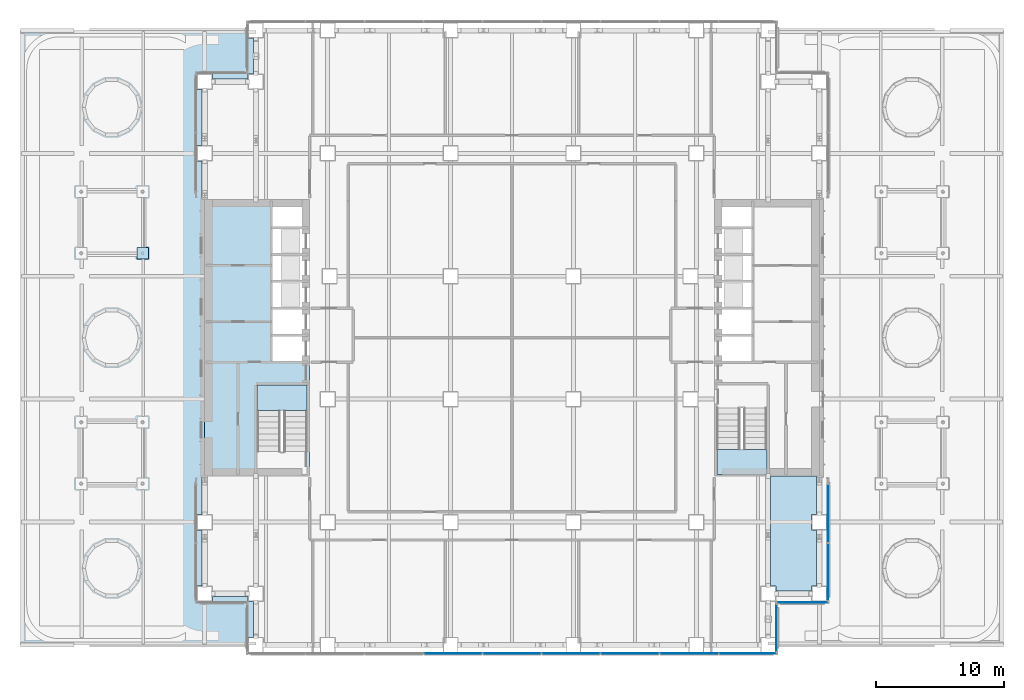
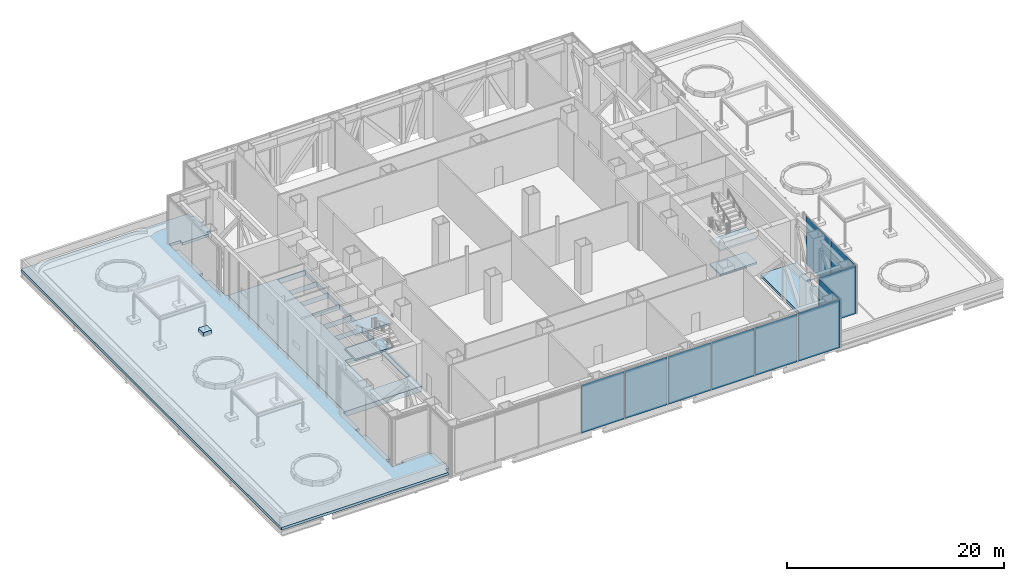
# One storey, part 18 of 39: 10 plates, 8 slabs, 6 elements without a shape of their own.
"""IFC4 building model written with IfcOpenShell, lengths in metres."""

import ifcopenshell
import ifcopenshell.guid

model = None  # the IFC model being written
_history = None  # IfcOwnerHistory: only IFC2X3 demands one
_inside = {}  # id of a spatial element -> (the spatial element, [elements in it])
_under = {}  # id of a project, library or spatial element -> (it, [spatial elements below it])
_declared = {}  # id of a project -> (the project, [libraries it declares])
_typed = {}  # id of a type object -> (the type object, [elements of that type])
_made_of = {}  # id of a material, layer set ... -> (it, [elements and type objects made of it])


def new_model(schema):
    """Start an empty IFC model of exactly this schema.

    Asked for "IFC4X3", IfcOpenShell would pick the latest addendum, in which some entities
    have other attributes; the version numbers below select the first issue.
    IFC2X3 requires an IfcOwnerHistory on every rooted entity: one is made here for all.
    """
    global model, _history
    if schema == "IFC4X3":
        model = ifcopenshell.file(schema_version=(4, 3, 0, 0))
    else:
        model = ifcopenshell.file(schema=schema)
    _inside.clear()
    _under.clear()
    _declared.clear()
    _typed.clear()
    _made_of.clear()
    _history = None
    if model.schema == "IFC2X3":
        org = make("IfcOrganization", Name="unknown")
        user = make(
            "IfcPersonAndOrganization",
            ThePerson=make("IfcPerson", FamilyName="unknown"),
            TheOrganization=org,
        )
        app = make(
            "IfcApplication",
            ApplicationDeveloper=org,
            Version="unknown",
            ApplicationFullName="unknown",
            ApplicationIdentifier="unknown",
        )
        _history = make(
            "IfcOwnerHistory",
            OwningUser=user,
            OwningApplication=app,
            ChangeAction="ADDED",
            CreationDate=0,
        )
    return model


def make(cls, **values):
    """One entity of the class cls with the attributes given. An attribute that is None is left unset."""
    return model.create_entity(
        cls, **{name: value for name, value in values.items() if value is not None}
    )


def rooted(cls, **values):
    """An entity with a GlobalId (a new one), such as an element, a storey or a relation."""
    return make(cls, GlobalId=ifcopenshell.guid.new(), OwnerHistory=_history, **values)


def si_unit(unit_type, name, prefix=None):
    """IfcSIUnit, for example si_unit("LENGTHUNIT", "METRE", prefix="MILLI")."""
    return make("IfcSIUnit", UnitType=unit_type, Prefix=prefix, Name=name)


def assignment(units):
    """IfcUnitAssignment: the units of a project."""
    return None if units is None else make("IfcUnitAssignment", Units=units)


def point(xyz):
    """IfcCartesianPoint."""
    return None if xyz is None else make("IfcCartesianPoint", Coordinates=xyz)


def direction(xyz):
    """IfcDirection."""
    return None if xyz is None else make("IfcDirection", DirectionRatios=xyz)


def frame(location, z_axis=None, x_axis=None):
    """IfcAxis2Placement3D, a coordinate frame: its origin and axes. An axis left out is left unset."""
    return make(
        "IfcAxis2Placement3D",
        Location=point(location),
        Axis=direction(z_axis),
        RefDirection=direction(x_axis),
    )


def frame_2d(location, x_axis=None):
    """IfcAxis2Placement2D, a coordinate frame in the plane: its origin and x axis."""
    return make(
        "IfcAxis2Placement2D", Location=point(location), RefDirection=direction(x_axis)
    )


def origin():
    """The frame at (0, 0, 0) with its axes left unset."""
    return frame((0.0, 0.0, 0.0))


def origin_2d():
    """The frame at (0, 0) in the plane with its x axis left unset."""
    return frame_2d((0.0, 0.0))


def place(relative_to, where):
    """IfcLocalPlacement: puts the frame where relative to a parent placement (None: the world)."""
    return make(
        "IfcLocalPlacement", PlacementRelTo=relative_to, RelativePlacement=where
    )


def context(
    kind, dimensions, precision=None, world=None, true_north=None, identifier=None
):
    """IfcGeometricRepresentationContext, for example the 3D "Model" context."""
    return make(
        "IfcGeometricRepresentationContext",
        ContextIdentifier=identifier,
        ContextType=kind,
        CoordinateSpaceDimension=dimensions,
        Precision=precision,
        WorldCoordinateSystem=world,
        TrueNorth=true_north,
    )


def subcontext(parent, identifier, kind, view, scale=None):
    """IfcGeometricRepresentationSubContext, for example "Body" below "Model"."""
    return make(
        "IfcGeometricRepresentationSubContext",
        ContextIdentifier=identifier,
        ContextType=kind,
        ParentContext=parent,
        TargetScale=scale,
        TargetView=view,
    )


def project(units=None, contexts=None):
    """IfcProject with its units and contexts."""
    return rooted(
        "IfcProject",
        Name="project",
        RepresentationContexts=contexts,
        UnitsInContext=assignment(units),
    )


def spatial(cls, under=None, at=None, **own):
    """A site, building, storey or space (cls), placed at a placement, below another one or the project."""
    s = rooted(cls, ObjectPlacement=at, **own)
    if under is not None:
        _under.setdefault(under.id(), (under, []))[1].append(s)
    return s


def polyline(points):
    """IfcPolyline through the points."""
    return make("IfcPolyline", Points=[point(p) for p in points])


def profile(cls, at=None, kind="AREA", **sizes):
    """A parametric profile (cls). Its sizes go by their IFC names, for example OverallWidth=200.0."""
    return make(cls, ProfileType=kind, Position=at, **sizes)


def rectangle(**sizes):
    """IfcRectangleProfileDef."""
    return profile("IfcRectangleProfileDef", **sizes)


def outline(outer, holes=None, kind="AREA"):
    """IfcArbitraryClosedProfileDef: a profile drawn as a closed curve; with holes, ...WithVoids."""
    if holes is None:
        return make("IfcArbitraryClosedProfileDef", ProfileType=kind, OuterCurve=outer)
    return make(
        "IfcArbitraryProfileDefWithVoids",
        ProfileType=kind,
        OuterCurve=outer,
        InnerCurves=holes,
    )


def extrude(swept, where, along, depth):
    """IfcExtrudedAreaSolid: the profile swept, set in the frame where, extruded along a direction by depth."""
    return make(
        "IfcExtrudedAreaSolid",
        SweptArea=swept,
        Position=where,
        ExtrudedDirection=direction(along),
        Depth=depth,
    )


def shape(context_of_items, identifier, shape_type, items):
    """IfcShapeRepresentation: the items that make up one representation, for example the "Body"."""
    return make(
        "IfcShapeRepresentation",
        ContextOfItems=context_of_items,
        RepresentationIdentifier=identifier,
        RepresentationType=shape_type,
        Items=items,
    )


def material(Name=None, Category=None):
    """IfcMaterial."""
    return make("IfcMaterial", Name=Name, Category=Category)


def layer(
    of_material, thickness, ventilated=None, Name=None, Category=None, Priority=None
):
    """IfcMaterialLayer: one layer of a wall or slab, of a material (None: an air gap)."""
    return make(
        "IfcMaterialLayer",
        Material=of_material,
        LayerThickness=thickness,
        IsVentilated=ventilated,
        Name=Name,
        Category=Category,
        Priority=Priority,
    )


def layer_set(layers, Name=None):
    """IfcMaterialLayerSet."""
    return make("IfcMaterialLayerSet", MaterialLayers=layers, LayerSetName=Name)


def made_of(thing, what):
    """Note that an element or type object is made of a material, layer set ...; save() writes the relation."""
    if what is not None:
        _made_of.setdefault(what.id(), (what, []))[1].append(thing)
    return thing


def type_object(cls, material=None, **own):
    """A type object (cls), such as IfcWallType, which elements share."""
    return made_of(rooted(cls, **own), material)


def element(
    cls,
    number,
    at=None,
    inside=None,
    cuts=None,
    type_object=None,
    material=None,
    context=None,
    identifier="Body",
    shape_type=None,
    held_by="IfcProductDefinitionShape",
    body=None,
    shapes=None,
    **own,
):
    """One element of the class cls, such as IfcWall. Its Tag is "e" and its number.

    at: its placement. inside: the storey or other place that contains it. cuts: it is an
    opening in that element (IfcRelVoidsElement). A single representation is given by context,
    identifier, shape_type and body (its items); several are given by shapes. held_by: the class
    of the entity that holds the representations. save() writes the other relations.
    """
    e = rooted(cls, Tag="e%d" % number, ObjectPlacement=at, **own)
    if body is not None:
        shapes = [shape(context, identifier, shape_type, body)]
    if shapes is not None:
        e.Representation = make(held_by, Representations=shapes)
    if inside is not None:
        _inside.setdefault(inside.id(), (inside, []))[1].append(e)
    if cuts is not None:
        rooted(
            "IfcRelVoidsElement", RelatingBuildingElement=cuts, RelatedOpeningElement=e
        )
    if type_object is not None:
        _typed.setdefault(type_object.id(), (type_object, []))[1].append(e)
    return made_of(e, material)


def aggregate(whole, parts):
    """IfcRelAggregates: a whole, such as a stair, and the parts it consists of."""
    return rooted("IfcRelAggregates", RelatingObject=whole, RelatedObjects=parts)


def save(model, path):
    """Write the relations noted so far, then the file.

    IfcRelAggregates (storeys below a building ...), IfcRelContainedInSpatialStructure (elements
    in a storey), IfcRelDefinesByType, IfcRelAssociatesMaterial and IfcRelDeclares: one each for
    every whole, place, type object, material and project.
    """
    for whole, parts in _under.values():
        aggregate(whole, parts)
    for where, things in _inside.values():
        rooted(
            "IfcRelContainedInSpatialStructure",
            RelatedElements=things,
            RelatingStructure=where,
        )
    for kind, things in _typed.values():
        rooted("IfcRelDefinesByType", RelatedObjects=things, RelatingType=kind)
    for what, things in _made_of.values():
        rooted("IfcRelAssociatesMaterial", RelatedObjects=things, RelatingMaterial=what)
    for by, libraries in _declared.values():
        rooted("IfcRelDeclares", RelatingContext=by, RelatedDefinitions=libraries)
    model.write(path)


model = new_model("IFC4")

# Units and contexts
model_context = context("Model", 3, precision=1e-05, world=origin(), true_north=direction((0.0, 1.0)))
body_context = subcontext(model_context, "Body", "Model", "MODEL_VIEW")
ifc_project = project(units=[si_unit("LENGTHUNIT", "METRE"), si_unit("AREAUNIT", "SQUARE_METRE"), si_unit("VOLUMEUNIT", "CUBIC_METRE"), si_unit("PLANEANGLEUNIT", "RADIAN"), si_unit("MASSUNIT", "GRAM", prefix="KILO")], contexts=[model_context])

# Site, building, storey
site_placement = place(None, origin())
site = spatial("IfcSite", under=ifc_project, at=site_placement, CompositionType="ELEMENT")
building_placement = place(site_placement, origin())
building = spatial("IfcBuilding", under=site, at=building_placement, Name="Cobrizo Arcos Hotel Tower", CompositionType="ELEMENT")
storey_placement = place(building_placement, frame((0.0, 0.0, 33.5)))
storey = spatial("IfcBuildingStorey", under=building, at=storey_placement, Name="L06", CompositionType="ELEMENT", Elevation=33.5)

# Curtain wall, plates
ifc_material_1 = material(Name="Aluminium 6063-T6 anodised bronze", Category="aluminium")
curtain_wall_type = type_object("IfcCurtainWallType", Name="CW-D plant louvre wall", PredefinedType="NOTDEFINED", material=ifc_material_1)
curtain_wall_1_placement = place(storey_placement, origin())
curtain_wall_1 = element("IfcCurtainWall", 1, at=curtain_wall_1_placement, inside=storey, type_object=curtain_wall_type, Name="CW-D L06 S face", PredefinedType="NOTDEFINED")
ifc_material_2 = material(Name="Aluminium composite panel pale metal", Category="aluminium")
ifc_layer_1 = layer(ifc_material_2, 0.06005859375)
ifc_layer_set_1 = layer_set([ifc_layer_1], Name="CW-D spandrel panel")
plate_type = type_object("IfcPlateType", Name="CW-D spandrel panel", PredefinedType="CURTAIN_PANEL", material=ifc_layer_set_1)
plate_1_placement = place(storey_placement, frame((-4.611083984375, -24.675048828125, 0.0), z_axis=(0.0, 0.0, 1.0), x_axis=(1.0, 0.0, 0.0)))
plate_1 = element("IfcPlate", 2, at=plate_1_placement, type_object=plate_type, Name="CW-D insulated panel 326", PredefinedType="CURTAIN_PANEL", context=body_context, shape_type="SweptSolid", body=[
    extrude(rectangle(XDim=4.51123046875, YDim=0.0400390625, at=origin_2d()), origin(), (0.0, 0.0, 1.0), 5.39990234375),
])
plate_2_placement = place(storey_placement, frame((0.0, -24.675048828125, 0.0), z_axis=(0.0, 0.0, 1.0), x_axis=(1.0, 0.0, 0.0)))
plate_2 = element("IfcPlate", 3, at=plate_2_placement, type_object=plate_type, Name="CW-D insulated panel 327", PredefinedType="CURTAIN_PANEL", context=body_context, shape_type="SweptSolid", body=[
    extrude(rectangle(XDim=4.51123046875, YDim=0.0400390625, at=origin_2d()), origin(), (0.0, 0.0, 1.0), 5.39990234375),
])
plate_3_placement = place(storey_placement, frame((4.611083984375, -24.675048828125, 0.0), z_axis=(0.0, 0.0, 1.0), x_axis=(1.0, 0.0, 0.0)))
plate_3 = element("IfcPlate", 4, at=plate_3_placement, type_object=plate_type, Name="CW-D insulated panel 328", PredefinedType="CURTAIN_PANEL", context=body_context, shape_type="SweptSolid", body=[
    extrude(rectangle(XDim=4.51123046875, YDim=0.0400390625, at=origin_2d()), origin(), (0.0, 0.0, 1.0), 5.39990234375),
])
plate_4_placement = place(storey_placement, frame((9.22216796875, -24.675048828125, 0.0), z_axis=(0.0, 0.0, 1.0), x_axis=(1.0, 0.0, 0.0)))
plate_4 = element("IfcPlate", 5, at=plate_4_placement, type_object=plate_type, Name="CW-D insulated panel 329", PredefinedType="CURTAIN_PANEL", context=body_context, shape_type="SweptSolid", body=[
    extrude(rectangle(XDim=4.51123046875, YDim=0.0400390625, at=origin_2d()), origin(), (0.0, 0.0, 1.0), 5.39990234375),
])
plate_5_placement = place(storey_placement, frame((13.833251953125, -24.675048828125, 0.0), z_axis=(0.0, 0.0, 1.0), x_axis=(1.0, 0.0, 0.0)))
plate_5 = element("IfcPlate", 6, at=plate_5_placement, type_object=plate_type, Name="CW-D insulated panel 330", PredefinedType="CURTAIN_PANEL", context=body_context, shape_type="SweptSolid", body=[
    extrude(rectangle(XDim=4.51123046875, YDim=0.0400390625, at=origin_2d()), origin(), (0.0, 0.0, 1.0), 5.39990234375),
])
plate_6_placement = place(storey_placement, frame((18.41943359375, -24.675048828125, 0.0), z_axis=(0.0, 0.0, 1.0), x_axis=(1.0, 0.0, 0.0)))
plate_6 = element("IfcPlate", 7, at=plate_6_placement, type_object=plate_type, Name="CW-D insulated panel 331", PredefinedType="CURTAIN_PANEL", context=body_context, shape_type="SweptSolid", body=[
    extrude(rectangle(XDim=4.461181640625, YDim=0.0400390625, at=origin_2d()), origin(), (0.0, 0.0, 1.0), 5.39990234375),
])
aggregate(curtain_wall_1, [plate_1, plate_2, plate_3, plate_4, plate_5, plate_6])

# Curtain wall, plate
curtain_wall_2_placement = place(storey_placement, origin())
curtain_wall_2 = element("IfcCurtainWall", 8, at=curtain_wall_2_placement, inside=storey, type_object=curtain_wall_type, Name="CW-D L06 E face", PredefinedType="NOTDEFINED")
plate_7_placement = place(storey_placement, frame((20.675048828125, -22.675048828125, 0.0), z_axis=(0.0, 0.0, 1.0), x_axis=(0.0, 1.0, 0.0)))
plate_7 = element("IfcPlate", 9, at=plate_7_placement, type_object=plate_type, Name="CW-D insulated panel 332", PredefinedType="CURTAIN_PANEL", context=body_context, shape_type="SweptSolid", body=[
    extrude(rectangle(XDim=3.64990234375, YDim=0.0400390625, at=origin_2d()), origin(), (0.0, 0.0, 1.0), 5.39990234375),
])
aggregate(curtain_wall_2, [plate_7])

curtain_wall_3_placement = place(storey_placement, origin())
curtain_wall_3 = element("IfcCurtainWall", 10, at=curtain_wall_3_placement, inside=storey, type_object=curtain_wall_type, Name="CW-D L06 S face", PredefinedType="NOTDEFINED")
plate_8_placement = place(storey_placement, frame((22.675048828125, -20.675048828125, 0.0), z_axis=(0.0, 0.0, 1.0), x_axis=(1.0, 0.0, 0.0)))
plate_8 = element("IfcPlate", 11, at=plate_8_placement, type_object=plate_type, Name="CW-D insulated panel 333", PredefinedType="CURTAIN_PANEL", context=body_context, shape_type="SweptSolid", body=[
    extrude(rectangle(XDim=3.949951171875, YDim=0.0400390625, at=origin_2d()), origin(), (0.0, 0.0, 1.0), 5.39990234375),
])
aggregate(curtain_wall_3, [plate_8])

# Curtain wall, plates
curtain_wall_4_placement = place(storey_placement, origin())
curtain_wall_4 = element("IfcCurtainWall", 12, at=curtain_wall_4_placement, inside=storey, type_object=curtain_wall_type, Name="CW-D L06 E face", PredefinedType="NOTDEFINED")
plate_9_placement = place(storey_placement, frame((24.675048828125, -18.2861328125, 0.0), z_axis=(0.0, 0.0, 1.0), x_axis=(0.0, 1.0, 0.0)))
plate_9 = element("IfcPlate", 13, at=plate_9_placement, type_object=plate_type, Name="CW-D insulated panel 334", PredefinedType="CURTAIN_PANEL", context=body_context, shape_type="SweptSolid", body=[
    extrude(rectangle(XDim=4.427734375, YDim=0.0400390625, at=origin_2d()), origin(), (0.0, 0.0, 1.0), 5.39990234375),
])
plate_10_placement = place(storey_placement, frame((24.675048828125, -13.7333984375, 0.0), z_axis=(0.0, 0.0, 1.0), x_axis=(0.0, 1.0, 0.0)))
plate_10 = element("IfcPlate", 14, at=plate_10_placement, type_object=plate_type, Name="CW-D insulated panel 335", PredefinedType="CURTAIN_PANEL", context=body_context, shape_type="SweptSolid", body=[
    extrude(rectangle(XDim=4.477783203125, YDim=0.0400390625, at=origin_2d()), origin(), (0.0, 0.0, 1.0), 5.39990234375),
])
aggregate(curtain_wall_4, [plate_9, plate_10])

# Slabs
ifc_material_3 = material(Name="Concrete f'c 35 MPa", Category="concrete")
ifc_layer_2 = layer(ifc_material_3, 0.300048828125)
ifc_layer_set_2 = layer_set([ifc_layer_2], Name="Composite floor slab 300 f'c 35")
slab_type_1 = type_object("IfcSlabType", Name="Composite floor slab 300 f'c 35", PredefinedType="FLOOR", material=ifc_layer_set_2)
slab_1_placement = place(storey_placement, frame((0.0, 0.0, -0.300048828125)))
element("IfcSlab", 15, at=slab_1_placement, inside=storey, type_object=slab_type_1, Name="Floor slab S2, L06, no. 01", PredefinedType="FLOOR", context=body_context, shape_type="SweptSolid", body=[
    extrude(outline(polyline([(24.0, -10.801025390625), (23.799560546875, -10.801025390625), (23.799560546875, -13.800048828125), (23.39990234375, -13.800048828125), (23.39990234375, -15.0), (23.799560546875, -15.0), (23.799560546875, -19.39990234375), (23.39990234375, -19.39990234375), (23.39990234375, -19.799560546875), (20.60009765625, -19.799560546875), (20.60009765625, -19.39990234375), (20.200439453125, -19.39990234375), (20.200439453125, -10.800048828125), (24.0, -10.800048828125), (24.0, -10.801025390625)])), origin(), (0.0, 0.0, 1.0), 0.300048828125),
])
ifc_layer_3 = layer(ifc_material_3, 0.449951171875)
ifc_layer_set_3 = layer_set([ifc_layer_3], Name="Pavilion column plinth 900 x 900 x 450")
slab_type_2 = type_object("IfcSlabType", Name="Pavilion column plinth 900 x 900 x 450", PredefinedType="BASESLAB", material=ifc_layer_set_3)
slab_2_placement = place(storey_placement, origin())
element("IfcSlab", 16, at=slab_2_placement, inside=storey, type_object=slab_type_2, Name="Pavilion 2 column plinth 2", PredefinedType="BASESLAB", context=body_context, shape_type="SweptSolid", body=[
    extrude(outline(polyline([(-28.39990234375, 6.14990234375), (-28.39990234375, 7.050048828125), (-29.300048828125, 7.050048828125), (-29.300048828125, 6.14990234375), (-28.39990234375, 6.14990234375)])), origin(), (0.0, 0.0, 1.0), 0.449951171875),
])
ifc_material_4 = material(Name="Concrete f'c 60 MPa", Category="concrete")
ifc_layer_4 = layer(ifc_material_4, 0.60009765625)
ifc_layer_set_4 = layer_set([ifc_layer_4], Name="RC core floor slab 600 f'c 60")
slab_type_3 = type_object("IfcSlabType", Name="RC core floor slab 600 f'c 60", PredefinedType="FLOOR", material=ifc_layer_set_4)
slab_3_placement = place(storey_placement, frame((0.0, 0.0, -0.60009765625)))
element("IfcSlab", 17, at=slab_3_placement, inside=storey, type_object=slab_type_3, Name="Core floor slab CS1, west core, L06", PredefinedType="FLOOR", context=body_context, shape_type="SweptSolid", body=[
    extrude(outline(polyline([(-24.0, 10.800048828125), (-15.800048828125, 10.800048828125), (-15.800048828125, -10.800048828125), (-24.0, -10.800048828125), (-24.0, 10.800048828125)]), holes=[polyline([(-19.89794921875, -3.701904296875), (-19.89794921875, -8.89794921875), (-16.001953125, -8.89794921875), (-16.001953125, -3.701904296875), (-19.89794921875, -3.701904296875)]), polyline([(-18.798095703125, 0.197998046875), (-18.798095703125, -1.89794921875), (-15.802001953125, -1.89794921875), (-15.802001953125, 0.197998046875), (-18.798095703125, 0.197998046875)]), polyline([(-15.802001953125, 2.298095703125), (-18.798095703125, 2.298095703125), (-18.798095703125, 0.201904296875), (-15.802001953125, 0.201904296875), (-15.802001953125, 2.298095703125)]), polyline([(-15.802001953125, 4.39794921875), (-18.798095703125, 4.39794921875), (-18.798095703125, 2.302001953125), (-15.802001953125, 2.302001953125), (-15.802001953125, 4.39794921875)]), polyline([(-18.798095703125, 6.498046875), (-18.798095703125, 4.402099609375), (-15.802001953125, 4.402099609375), (-15.802001953125, 6.498046875), (-18.798095703125, 6.498046875)]), polyline([(-15.802001953125, 8.597900390625), (-18.798095703125, 8.597900390625), (-18.798095703125, 6.501953125), (-15.802001953125, 6.501953125), (-15.802001953125, 8.597900390625)]), polyline([(-15.802001953125, 10.697998046875), (-18.798095703125, 10.697998046875), (-18.798095703125, 8.60205078125), (-15.802001953125, 8.60205078125), (-15.802001953125, 10.697998046875)])]), origin(), (0.0, 0.0, 1.0), 0.60009765625),
])
ifc_layer_5 = layer(ifc_material_3, 0.300048828125)
ifc_layer_set_5 = layer_set([ifc_layer_5], Name="RC roof slab 300 f'c 35")
slab_type_4 = type_object("IfcSlabType", Name="RC roof slab 300 f'c 35", PredefinedType="ROOF", material=ifc_layer_set_5)
slab_4_placement = place(storey_placement, frame((0.0, 0.0, -0.300048828125)))
element("IfcSlab", 18, at=slab_4_placement, inside=storey, type_object=slab_type_4, Name="Roof slab RS2, L06, no. 02", PredefinedType="ROOF", context=body_context, shape_type="SweptSolid", body=[
    extrude(outline(polyline([(-20.60009765625, 24.0), (-20.60009765625, 23.39990234375), (-20.200439453125, 23.39990234375), (-20.200439453125, 20.60009765625), (-20.60009765625, 20.60009765625), (-20.60009765625, 20.200439453125), (-23.39990234375, 20.200439453125), (-23.39990234375, 20.60009765625), (-24.60009765625, 20.60009765625), (-24.60009765625, 19.39990234375), (-24.200439453125, 19.39990234375), (-24.200439453125, 15.0), (-24.60009765625, 15.0), (-24.60009765625, 13.800048828125), (-24.200439453125, 13.800048828125), (-24.200439453125, 10.801025390625), (-24.0, 10.801025390625), (-24.0, 10.800048828125), (-24.0, -10.800048828125), (-24.0, -10.801025390625), (-24.200439453125, -10.801025390625), (-24.200439453125, -13.800048828125), (-24.60009765625, -13.800048828125), (-24.60009765625, -15.0), (-24.200439453125, -15.0), (-24.200439453125, -19.39990234375), (-24.60009765625, -19.39990234375), (-24.60009765625, -20.60009765625), (-23.39990234375, -20.60009765625), (-23.39990234375, -20.200439453125), (-20.60009765625, -20.200439453125), (-20.60009765625, -20.60009765625), (-20.200439453125, -20.60009765625), (-20.200439453125, -23.39990234375), (-20.60009765625, -23.39990234375), (-20.60009765625, -24.0), (-38.39990234375, -24.0), (-38.39990234375, 24.0), (-20.60009765625, 24.0)])), origin(), (0.0, 0.0, 1.0), 0.300048828125),
])

# Stair, slabs
ifc_material_5 = material(Name="Concrete f'c 40 MPa", Category="concrete")
stair_type = type_object("IfcStairType", Name="Exit stair", PredefinedType="HALF_TURN_STAIR", material=ifc_material_5)
stair_1_placement = place(storey_placement, origin())
stair_1 = element("IfcStair", 19, at=stair_1_placement, inside=storey, type_object=stair_type, Name="L06 Exit stair ST-W", PredefinedType="HALF_TURN_STAIR")
ifc_layer_6 = layer(ifc_material_5, 0.199951171875)
ifc_layer_set_6 = layer_set([ifc_layer_6], Name="Stair landing")
slab_type_5 = type_object("IfcSlabType", Name="Stair landing", PredefinedType="LANDING", material=ifc_layer_set_6)
slab_5_placement = place(storey_placement, frame((0.0, 0.0, 1.175048828125)))
slab_5 = element("IfcSlab", 20, at=slab_5_placement, type_object=slab_type_5, Name="ST-W landing 1", PredefinedType="LANDING", context=body_context, shape_type="SweptSolid", body=[
    extrude(outline(polyline([(-16.0, -5.679931640625), (-16.0, -3.699951171875), (-19.89990234375, -3.699951171875), (-19.89990234375, -5.679931640625), (-16.0, -5.679931640625)])), origin(), (0.0, 0.0, 1.0), 0.199951171875),
])
slab_6_placement = place(storey_placement, frame((0.0, 0.0, 3.925048828125)))
slab_6 = element("IfcSlab", 21, at=slab_6_placement, type_object=slab_type_5, Name="ST-W landing 3", PredefinedType="LANDING", context=body_context, shape_type="SweptSolid", body=[
    extrude(outline(polyline([(-16.0, -5.679931640625), (-16.0, -3.699951171875), (-19.89990234375, -3.699951171875), (-19.89990234375, -5.679931640625), (-16.0, -5.679931640625)])), origin(), (0.0, 0.0, 1.0), 0.199951171875),
])
aggregate(stair_1, [slab_5, slab_6])

stair_2_placement = place(storey_placement, origin())
stair_2 = element("IfcStair", 22, at=stair_2_placement, inside=storey, type_object=stair_type, Name="L06 Exit stair ST-E", PredefinedType="HALF_TURN_STAIR")
slab_7_placement = place(storey_placement, frame((0.0, 0.0, 1.175048828125)))
slab_7 = element("IfcSlab", 23, at=slab_7_placement, type_object=slab_type_5, Name="ST-E landing 1", PredefinedType="LANDING", context=body_context, shape_type="SweptSolid", body=[
    extrude(outline(polyline([(16.0, -8.719970703125), (16.0, -10.699951171875), (19.89990234375, -10.699951171875), (19.89990234375, -8.719970703125), (16.0, -8.719970703125)])), origin(), (0.0, 0.0, 1.0), 0.199951171875),
])
slab_8_placement = place(storey_placement, frame((0.0, 0.0, 3.925048828125)))
slab_8 = element("IfcSlab", 24, at=slab_8_placement, type_object=slab_type_5, Name="ST-E landing 3", PredefinedType="LANDING", context=body_context, shape_type="SweptSolid", body=[
    extrude(outline(polyline([(16.0, -8.719970703125), (16.0, -10.699951171875), (19.89990234375, -10.699951171875), (19.89990234375, -8.719970703125), (16.0, -8.719970703125)])), origin(), (0.0, 0.0, 1.0), 0.199951171875),
])
aggregate(stair_2, [slab_7, slab_8])

save(model, "model.ifc")
